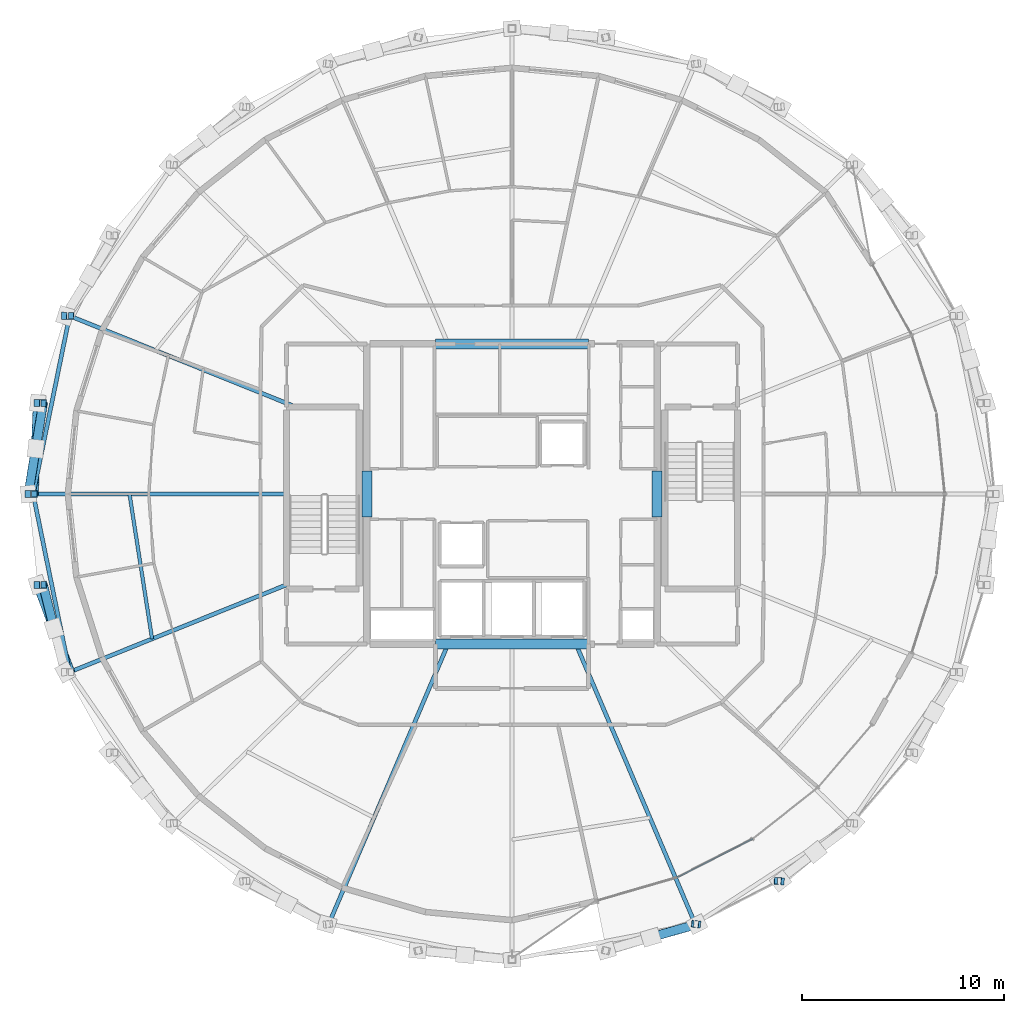
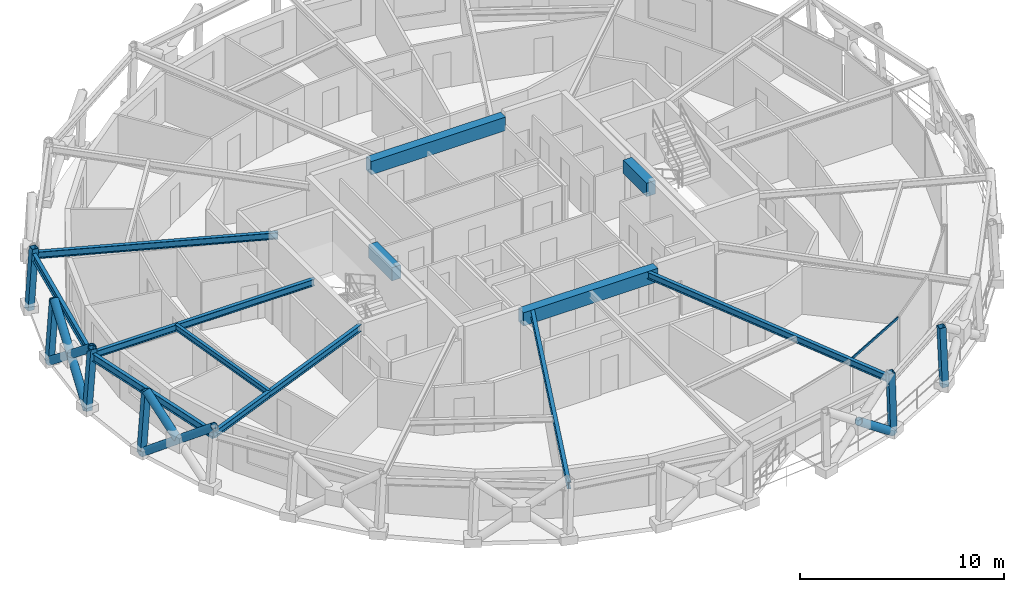
# One storey, part 3 of 17: 13 members, 12 beams, 1 element without a shape of its own.
"""IFC4 building model written with IfcOpenShell, lengths in metres."""

from ifc_helpers import new_model, si_unit, direction, frame, origin, origin_2d, place, context, subcontext, project, spatial, rectangle, hollow_rectangle, hollow_circle, i_section, extrude, material, layer, layer_set, material_profile, profile_set, type_object, element, aggregate, save


model = new_model("IFC4")

# Units and contexts
model_context = context("Model", 3, precision=1e-05, world=origin(), true_north=direction((0.0, 1.0)))
body_context = subcontext(model_context, "Body", "Model", "MODEL_VIEW")
ifc_project = project(units=[si_unit("LENGTHUNIT", "METRE"), si_unit("AREAUNIT", "SQUARE_METRE"), si_unit("VOLUMEUNIT", "CUBIC_METRE"), si_unit("PLANEANGLEUNIT", "RADIAN"), si_unit("MASSUNIT", "GRAM", prefix="KILO")], contexts=[model_context])

# Site, building, storey
site_placement = place(None, origin())
site = spatial("IfcSite", under=ifc_project, at=site_placement, CompositionType="ELEMENT")
building_placement = place(site_placement, origin())
building = spatial("IfcBuilding", under=site, at=building_placement, Name="Veldorina Hangang Commons", CompositionType="ELEMENT")
storey_placement = place(building_placement, frame((0.0, 0.0, 236.39990234375)))
storey = spatial("IfcBuildingStorey", under=building, at=storey_placement, Name="L61", CompositionType="ELEMENT", Elevation=236.39990234375)

# Beams
ifc_material_1 = material(Name="Concrete C50/60", Category="concrete")
ifc_material_profile_1 = material_profile(ifc_material_1, rectangle(XDim=0.5, YDim=0.800048828125, at=origin_2d()), Name="RC-CB-500x800")
ifc_profile_set_1 = profile_set([ifc_material_profile_1], Name="Concrete C50/60")
beam_type_1 = type_object("IfcBeamType", Name="BM-CB800", PredefinedType="LINTEL", material=ifc_profile_set_1)
for number, where, z_axis, x_axis, name in (
    (1, (24.800048828125, 22.85009765625, 2.960205078125), (0.0, 1.0, 0.0), (-1.0, 0.0, 0.0), "L61 W core coupling lintel beam"),
    (2, (39.199951171875, 22.85009765625, 2.960205078125), (0.0, 1.0, 0.0), (-1.0, 0.0, 0.0), "L61 E core coupling lintel beam"),
):
    element("IfcBeam", number, at=place(storey_placement, frame(where, z_axis=z_axis, x_axis=x_axis)), inside=storey, type_object=beam_type_1, Name=name, PredefinedType="LINTEL", context=body_context, shape_type="SweptSolid", body=[
        extrude(rectangle(XDim=0.5, YDim=0.800048828125, at=origin_2d()), origin(), (0.0, 0.0, 1.0), 2.2998046875),
    ])
for number, where, z_axis, x_axis, name in (
    (3, (28.199951171875, 16.550048828125, 2.960205078125), (1.0, 0.0, 0.0), (0.0, 1.0, 0.0), "L61 south core coupling beam"),
    (4, (28.199951171875, 31.449951171875, 2.960205078125), (1.0, 0.0, 0.0), (0.0, 1.0, 0.0), "L61 north core coupling beam"),
):
    element("IfcBeam", number, at=place(storey_placement, frame(where, z_axis=z_axis, x_axis=x_axis)), inside=storey, type_object=beam_type_1, Name=name, PredefinedType="LINTEL", context=body_context, shape_type="SweptSolid", body=[
        extrude(rectangle(XDim=0.5, YDim=0.800048828125, at=origin_2d()), origin(), (0.0, 0.0, 1.0), 7.60009765625),
    ])
ifc_material_2 = material(Name="Steel SM355-TMC", Category="steel")
ifc_material_profile_2 = material_profile(ifc_material_2, i_section(OverallWidth=0.199951171875, OverallDepth=0.39990234375, WebThickness=0.008056640625, FlangeThickness=0.012939453125, FilletRadius=0.012939453125, at=origin_2d()), Name="H-400x200x8x13")
ifc_profile_set_2 = profile_set([ifc_material_profile_2], Name="Steel SM355-TMC")
beam_type_2 = type_object("IfcBeamType", Name="BM-FG400", PredefinedType="BEAM", material=ifc_profile_set_2)
beam_1_placement = place(storey_placement, frame((21.2705078125, 28.320068359375, 3.16015625), z_axis=(-0.927635073357, 0.373487845421, 0.0), x_axis=(-0.373487845421, -0.927635073357, 0.0)))
element("IfcBeam", 5, at=beam_1_placement, inside=storey, type_object=beam_type_2, Name="L61 radial floor girder 08", PredefinedType="BEAM", context=body_context, shape_type="SweptSolid", body=[
    extrude(i_section(OverallWidth=0.199951171875, OverallDepth=0.39990234375, WebThickness=0.008056640625, FlangeThickness=0.012939453125, FilletRadius=0.012939453125, at=origin_2d()), origin(), (0.0, 0.0, 1.0), 12.09765625),
])
beam_2_placement = place(storey_placement, frame((20.820068359375, 24.0, 3.16015625), z_axis=(-1.0, 0.0, 0.0), x_axis=(0.0, -1.0, 0.0)))
element("IfcBeam", 6, at=beam_2_placement, inside=storey, type_object=beam_type_2, Name="L61 radial floor girder 09", PredefinedType="BEAM", context=body_context, shape_type="SweptSolid", body=[
    extrude(i_section(OverallWidth=0.199951171875, OverallDepth=0.39990234375, WebThickness=0.008056640625, FlangeThickness=0.012939453125, FilletRadius=0.012939453125, at=origin_2d()), origin(), (0.0, 0.0, 1.0), 12.58056640625),
])
beam_3_placement = place(storey_placement, frame((20.820068359375, 19.498779296875, 3.16015625), z_axis=(-0.927628949493, -0.373503054957, 0.0), x_axis=(0.373503054957, -0.927628949493, 0.0)))
element("IfcBeam", 7, at=beam_3_placement, inside=storey, type_object=beam_type_2, Name="L61 radial floor girder 10", PredefinedType="BEAM", context=body_context, shape_type="SweptSolid", body=[
    extrude(i_section(OverallWidth=0.199951171875, OverallDepth=0.39990234375, WebThickness=0.008056640625, FlangeThickness=0.012939453125, FilletRadius=0.012939453125, at=origin_2d()), origin(), (0.0, 0.0, 1.0), 11.612060546875),
])
for number, where, z_axis, x_axis, name in (
    (8, (28.8251953125, 16.550048828125, 3.16015625), (-0.392027091134, -0.919953672647, 0.0), (0.919953672647, -0.392027091134, 0.0), "L61 radial floor girder 12"),
    (9, (35.1748046875, 16.550048828125, 3.16015625), (0.392027091134, -0.919953672647, 0.0), (0.919953672647, 0.392027091134, 0.0), "L61 radial floor girder 14"),
):
    element("IfcBeam", number, at=place(storey_placement, frame(where, z_axis=z_axis, x_axis=x_axis)), inside=storey, type_object=beam_type_2, Name=name, PredefinedType="BEAM", context=body_context, shape_type="SweptSolid", body=[
        extrude(i_section(OverallWidth=0.199951171875, OverallDepth=0.39990234375, WebThickness=0.008056640625, FlangeThickness=0.012939453125, FilletRadius=0.012939453125, at=origin_2d()), origin(), (0.0, 0.0, 1.0), 15.095703125),
    ])
ifc_material_profile_3 = material_profile(ifc_material_2, i_section(OverallWidth=0.175048828125, OverallDepth=0.35009765625, WebThickness=0.007080078125, FlangeThickness=0.010986328125, FilletRadius=0.012939453125, at=origin_2d()), Name="H-350x175x7x11")
ifc_profile_set_3 = profile_set([ifc_material_profile_3], Name="Steel SM355-TMC")
beam_type_3 = type_object("IfcBeamType", Name="BM-JST350", PredefinedType="JOIST", material=ifc_profile_set_3)
beam_4_placement = place(storey_placement, frame((13.020263671875, 24.0, 3.18505859375), z_axis=(0.154091338088, -0.98805660745, 0.0), x_axis=(0.98805660745, 0.154091338088, 0.0)))
element("IfcBeam", 10, at=beam_4_placement, inside=storey, type_object=beam_type_3, Name="L61 secondary floor joist 09", PredefinedType="JOIST", context=body_context, shape_type="SweptSolid", body=[
    extrude(i_section(OverallWidth=0.175048828125, OverallDepth=0.35009765625, WebThickness=0.007080078125, FlangeThickness=0.010986328125, FilletRadius=0.012939453125, at=origin_2d()), origin(), (0.0, 0.0, 1.0), 7.277099609375),
])
ifc_material_profile_4 = material_profile(ifc_material_2, i_section(OverallWidth=0.199951171875, OverallDepth=0.449951171875, WebThickness=0.009033203125, FlangeThickness=0.013916015625, FilletRadius=0.01611328125, at=origin_2d()), Name="H-450x200x9x14")
ifc_profile_set_4 = profile_set([ifc_material_profile_4], Name="Steel SM355-TMC")
beam_type_4 = type_object("IfcBeamType", Name="BM-RB450", PredefinedType="BEAM", material=ifc_profile_set_4)
for number, where, z_axis, x_axis, name in (
    (11, (10.04833984375, 32.83837890625, 3.135009765625), (-0.200501316048, -0.979693432796, 0.0), (0.979693432796, -0.200501316048, 0.0), "L61 perimeter hoop ring beam 14"),
    (12, (8.239501953125, 24.0, 3.135009765625), (0.200501316048, -0.979693432796, 0.0), (0.979693432796, 0.200501316048, 0.0), "L61 perimeter hoop ring beam 16"),
):
    element("IfcBeam", number, at=place(storey_placement, frame(where, z_axis=z_axis, x_axis=x_axis)), inside=storey, type_object=beam_type_4, Name=name, PredefinedType="BEAM", context=body_context, shape_type="SweptSolid", body=[
        extrude(i_section(OverallWidth=0.199951171875, OverallDepth=0.449951171875, WebThickness=0.009033203125, FlangeThickness=0.013916015625, FilletRadius=0.01611328125, at=origin_2d()), origin(), (0.0, 0.0, 1.0), 9.021484375),
    ])

# Curtain wall, member
ifc_material_3 = material(Name="Glass Low-E Selective", Category="glass")
ifc_layer = layer(ifc_material_3, 0.179931640625)
ifc_layer_set = layer_set([ifc_layer], Name="Glass Low-E Selective")
curtain_wall_type = type_object("IfcCurtainWallType", Name="CW-SYS-Z3", PredefinedType="NOTDEFINED", material=ifc_layer_set)
curtain_wall_placement = place(storey_placement, origin())
curtain_wall = element("IfcCurtainWall", 13, at=curtain_wall_placement, inside=storey, type_object=curtain_wall_type, Name="L61 unitised curtain wall CW-L61-R1", PredefinedType="NOTDEFINED")
ifc_material_4 = material(Name="Aluminium Anodized AA6063-T6", Category="aluminium")
ifc_material_profile_5 = material_profile(ifc_material_4, hollow_rectangle(XDim=0.06005859375, YDim=0.139892578125, WallThickness=0.00341796875, at=origin_2d()), Name="ALU-RHS-140x60x3.5")
ifc_profile_set_5 = profile_set([ifc_material_profile_5], Name="Aluminium Anodized AA6063-T6")
member_type_1 = type_object("IfcMemberType", Name="CW-TRN-140", PredefinedType="USERDEFINED", material=ifc_profile_set_5)
member_1_placement = place(storey_placement, frame((40.218505859375, 4.98095703125, 3.280029296875), z_axis=(0.889995293792, 0.455969710647, 0.0), x_axis=(-0.455969710647, 0.889995293792, 0.0)))
member_1 = element("IfcMember", 14, at=member_1_placement, type_object=member_type_1, Name="CW-L61-R1 facet 2 transom 1", ObjectType="TRANSOM", PredefinedType="USERDEFINED", context=body_context, shape_type="SweptSolid", body=[
    extrude(hollow_rectangle(XDim=0.06005859375, YDim=0.139892578125, WallThickness=0.00341796875, at=origin_2d()), origin(), (0.0, 0.0, 1.0), 4.172119140625),
])
aggregate(curtain_wall, [member_1])

# Members
ifc_material_profile_6 = material_profile(ifc_material_2, hollow_circle(Radius=0.22509765625, WallThickness=0.02197265625, at=origin_2d()), Name="CHS-450x22")
ifc_profile_set_6 = profile_set([ifc_material_profile_6], Name="Steel SM355-TMC")
member_type_2 = type_object("IfcMemberType", Name="DG-CHS450", PredefinedType="BRACE", material=ifc_profile_set_6)
member_2_placement = place(storey_placement, frame((8.46484375, 28.5078125, 0.0), z_axis=(-0.032949054302, -0.780964491184, 0.623705718533), x_axis=(0.999111179584, -0.042152708454, 0.0)))
element("IfcMember", 15, at=member_2_placement, inside=storey, type_object=member_type_2, Name="L61 continuous perimeter diagrid brace 15", PredefinedType="BRACE", context=body_context, shape_type="SweptSolid", body=[
    extrude(hollow_circle(Radius=0.22509765625, WallThickness=0.02197265625, at=origin_2d()), origin(), (0.0, 0.0, 1.0), 5.772216796875),
])
member_3_placement = place(storey_placement, frame((8.003662109375, 24.0, 0.0), z_axis=(0.125870064059, 0.77495318292, 0.619357966976), x_axis=(-0.987064796349, 0.160321825737, 0.0)))
element("IfcMember", 16, at=member_3_placement, inside=storey, type_object=member_type_2, Name="L61 split perimeter diagrid lower brace 16", PredefinedType="BRACE", context=body_context, shape_type="SweptSolid", body=[
    extrude(hollow_circle(Radius=0.22509765625, WallThickness=0.02197265625, at=origin_2d()), origin(), (0.0, 0.0, 1.0), 2.907470703125),
])
member_4_placement = place(storey_placement, frame((8.36962890625, 26.253173828125, 1.80078125), z_axis=(0.124205185148, 0.775231957369, 0.61934520605), x_axis=(-0.987407213284, 0.15819922615, 0.0)))
element("IfcMember", 17, at=member_4_placement, inside=storey, type_object=member_type_2, Name="L61 split perimeter diagrid upper brace 16", PredefinedType="BRACE", context=body_context, shape_type="SweptSolid", body=[
    extrude(hollow_circle(Radius=0.22509765625, WallThickness=0.02197265625, at=origin_2d()), origin(), (0.0, 0.0, 1.0), 2.9052734375),
])
member_5_placement = place(storey_placement, frame((8.46484375, 19.4921875, 0.0), z_axis=(0.275804432455, -0.739104202115, 0.614537951191), x_axis=(0.936894586897, 0.34961197497, 0.0)))
element("IfcMember", 18, at=member_5_placement, inside=storey, type_object=member_type_2, Name="L61 continuous perimeter diagrid brace 17", PredefinedType="BRACE", context=body_context, shape_type="SweptSolid", body=[
    extrude(hollow_circle(Radius=0.22509765625, WallThickness=0.02197265625, at=origin_2d()), origin(), (0.0, 0.0, 1.0), 5.858154296875),
])
member_6_placement = place(storey_placement, frame((9.273193359375, 17.32568359375, 1.801513671875), z_axis=(-0.189138497592, 0.755873330009, 0.626803109205), x_axis=(-0.970091092345, -0.242741163697, 0.0)))
element("IfcMember", 19, at=member_6_placement, inside=storey, type_object=member_type_2, Name="L61 split perimeter diagrid upper brace 18", PredefinedType="BRACE", context=body_context, shape_type="SweptSolid", body=[
    extrude(hollow_circle(Radius=0.22509765625, WallThickness=0.02197265625, at=origin_2d()), origin(), (0.0, 0.0, 1.0), 2.869384765625),
])
member_7_placement = place(storey_placement, frame((41.18310546875, 2.652587890625, 0.0), z_axis=(-0.76611608268, -0.216732892863, 0.605056196572), x_axis=(0.272215001073, -0.962236453888, 0.0)))
element("IfcMember", 20, at=member_7_placement, inside=storey, type_object=member_type_2, Name="L61 split perimeter diagrid lower brace 26", PredefinedType="BRACE", context=body_context, shape_type="SweptSolid", body=[
    extrude(hollow_circle(Radius=0.22509765625, WallThickness=0.02197265625, at=origin_2d()), origin(), (0.0, 0.0, 1.0), 2.99072265625),
])
ifc_material_profile_7 = material_profile(ifc_material_2, hollow_rectangle(XDim=0.35009765625, YDim=0.35009765625, WallThickness=0.01611328125, at=origin_2d()), Name="SHS-350x350x16")
ifc_profile_set_7 = profile_set([ifc_material_profile_7], Name="Steel SM355-TMC")
member_type_3 = type_object("IfcMemberType", Name="STR-SHS350", PredefinedType="STRUT", material=ifc_profile_set_7)
member_8_placement = place(storey_placement, frame((9.830322265625, 32.84228515625, 0.0), z_axis=(0.069342998123, -0.001285382404, 0.997592049088), x_axis=(0.018533401555, 0.999828241763, 0.0)))
element("IfcMember", 21, at=member_8_placement, inside=storey, type_object=member_type_3, Name="L61 perimeter ring node post 14", PredefinedType="STRUT", context=body_context, shape_type="SweptSolid", body=[
    extrude(hollow_rectangle(XDim=0.35009765625, YDim=0.35009765625, WallThickness=0.01611328125, at=origin_2d()), origin(), (0.0, 0.0, 1.0), 3.60888671875),
])
member_9_placement = place(storey_placement, frame((8.46484375, 28.5078125, 0.0), z_axis=(0.073582687686, -0.000676311468, 0.99728889028), x_axis=(0.00919078827, 0.999957763814, 0.0)))
element("IfcMember", 22, at=member_9_placement, inside=storey, type_object=member_type_3, Name="L61 perimeter ring node post 15", PredefinedType="STRUT", context=body_context, shape_type="SweptSolid", body=[
    extrude(hollow_rectangle(XDim=0.35009765625, YDim=0.35009765625, WallThickness=0.01611328125, at=origin_2d()), origin(), (0.0, 0.0, 1.0), 3.60986328125),
])
member_10_placement = place(storey_placement, frame((8.003662109375, 24.0, 0.0), z_axis=(0.075062289438, 0.0, 0.9971788469), x_axis=(0.0, 1.0, 0.0)))
element("IfcMember", 23, at=member_10_placement, inside=storey, type_object=member_type_3, Name="L61 perimeter ring node post 16", PredefinedType="STRUT", context=body_context, shape_type="SweptSolid", body=[
    extrude(hollow_rectangle(XDim=0.35009765625, YDim=0.35009765625, WallThickness=0.01611328125, at=origin_2d()), origin(), (0.0, 0.0, 1.0), 3.6103515625),
])
member_11_placement = place(storey_placement, frame((8.46484375, 19.4921875, 0.0), z_axis=(0.073582687686, 0.000676311468, 0.99728889028), x_axis=(-0.00919078827, 0.999957763814, 0.0)))
element("IfcMember", 24, at=member_11_placement, inside=storey, type_object=member_type_3, Name="L61 perimeter ring node post 17", PredefinedType="STRUT", context=body_context, shape_type="SweptSolid", body=[
    extrude(hollow_rectangle(XDim=0.35009765625, YDim=0.35009765625, WallThickness=0.01611328125, at=origin_2d()), origin(), (0.0, 0.0, 1.0), 3.60986328125),
])
member_12_placement = place(storey_placement, frame((41.18310546875, 2.652587890625, 0.0), z_axis=(-0.028809265977, 0.003185965885, 0.999579849644), x_axis=(-0.109918141714, -0.993940643158, 0.0)))
element("IfcMember", 25, at=member_12_placement, inside=storey, type_object=member_type_3, Name="L61 perimeter ring node post 26", PredefinedType="STRUT", context=body_context, shape_type="SweptSolid", body=[
    extrude(hollow_rectangle(XDim=0.35009765625, YDim=0.35009765625, WallThickness=0.01611328125, at=origin_2d()), origin(), (0.0, 0.0, 1.0), 3.6015625),
])
member_13_placement = place(storey_placement, frame((45.33154296875, 4.7880859375, 0.0), z_axis=(-0.041737477683, 0.002777981469, 0.999124749856), x_axis=(-0.066411501771, -0.997792319289, 0.0)))
element("IfcMember", 26, at=member_13_placement, inside=storey, type_object=member_type_3, Name="L61 perimeter ring node post 27", PredefinedType="STRUT", context=body_context, shape_type="SweptSolid", body=[
    extrude(hollow_rectangle(XDim=0.35009765625, YDim=0.35009765625, WallThickness=0.01611328125, at=origin_2d()), origin(), (0.0, 0.0, 1.0), 3.603271484375),
])

save(model, "model.ifc")
